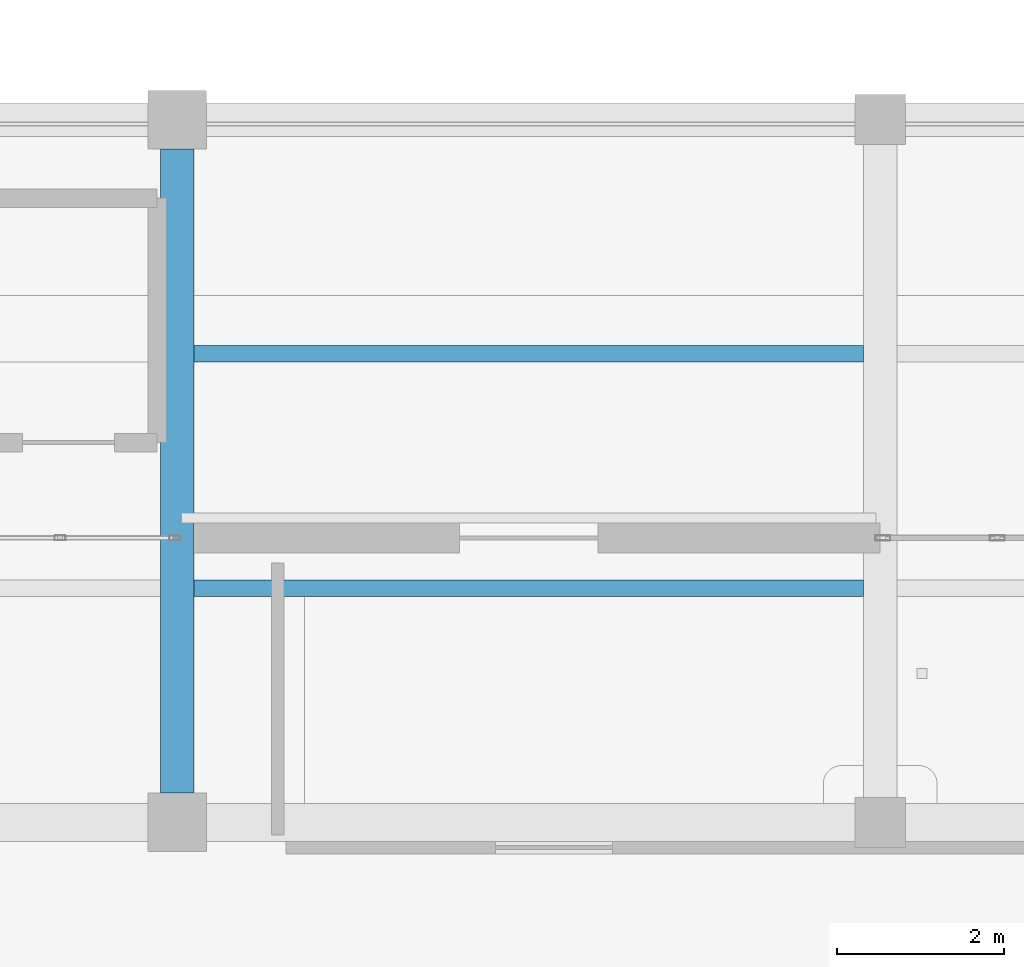
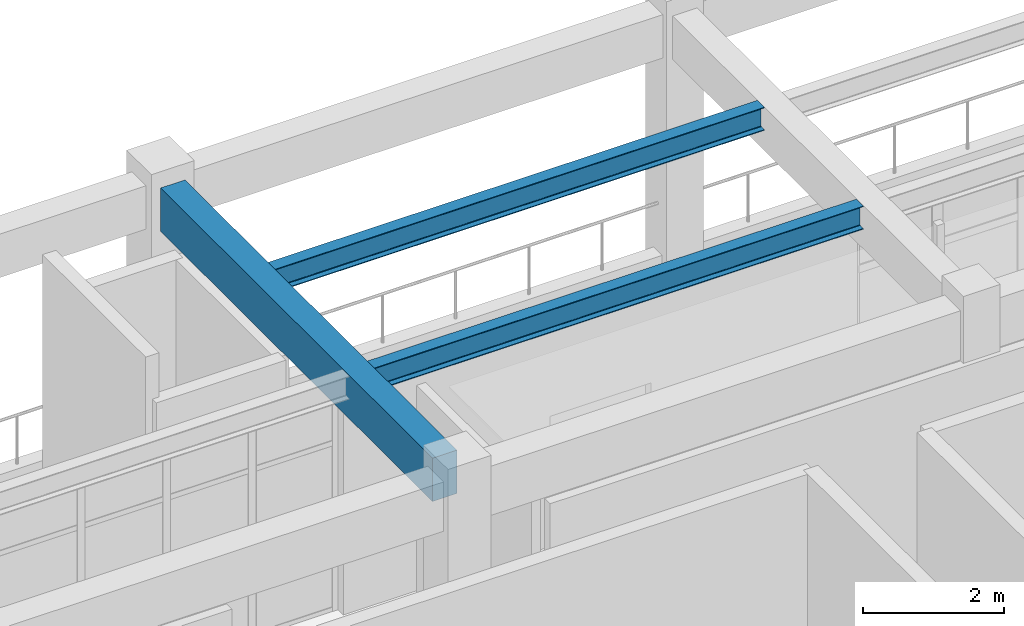
# One storey, part 11 of 98: 3 beams.
"""IFC4 building model written with IfcOpenShell, lengths in metres."""

import ifcopenshell
import ifcopenshell.guid

model = None  # the IFC model being written
_history = None  # IfcOwnerHistory: only IFC2X3 demands one
_inside = {}  # id of a spatial element -> (the spatial element, [elements in it])
_under = {}  # id of a project, library or spatial element -> (it, [spatial elements below it])
_declared = {}  # id of a project -> (the project, [libraries it declares])
_typed = {}  # id of a type object -> (the type object, [elements of that type])
_made_of = {}  # id of a material, layer set ... -> (it, [elements and type objects made of it])


def new_model(schema):
    """Start an empty IFC model of exactly this schema.

    Asked for "IFC4X3", IfcOpenShell would pick the latest addendum, in which some entities
    have other attributes; the version numbers below select the first issue.
    IFC2X3 requires an IfcOwnerHistory on every rooted entity: one is made here for all.
    """
    global model, _history
    if schema == "IFC4X3":
        model = ifcopenshell.file(schema_version=(4, 3, 0, 0))
    else:
        model = ifcopenshell.file(schema=schema)
    _inside.clear()
    _under.clear()
    _declared.clear()
    _typed.clear()
    _made_of.clear()
    _history = None
    if model.schema == "IFC2X3":
        org = make("IfcOrganization", Name="unknown")
        user = make(
            "IfcPersonAndOrganization",
            ThePerson=make("IfcPerson", FamilyName="unknown"),
            TheOrganization=org,
        )
        app = make(
            "IfcApplication",
            ApplicationDeveloper=org,
            Version="unknown",
            ApplicationFullName="unknown",
            ApplicationIdentifier="unknown",
        )
        _history = make(
            "IfcOwnerHistory",
            OwningUser=user,
            OwningApplication=app,
            ChangeAction="ADDED",
            CreationDate=0,
        )
    return model


def make(cls, **values):
    """One entity of the class cls with the attributes given. An attribute that is None is left unset."""
    return model.create_entity(
        cls, **{name: value for name, value in values.items() if value is not None}
    )


def rooted(cls, **values):
    """An entity with a GlobalId (a new one), such as an element, a storey or a relation."""
    return make(cls, GlobalId=ifcopenshell.guid.new(), OwnerHistory=_history, **values)


def si_unit(unit_type, name, prefix=None):
    """IfcSIUnit, for example si_unit("LENGTHUNIT", "METRE", prefix="MILLI")."""
    return make("IfcSIUnit", UnitType=unit_type, Prefix=prefix, Name=name)


def assignment(units):
    """IfcUnitAssignment: the units of a project."""
    return None if units is None else make("IfcUnitAssignment", Units=units)


def point(xyz):
    """IfcCartesianPoint."""
    return None if xyz is None else make("IfcCartesianPoint", Coordinates=xyz)


def direction(xyz):
    """IfcDirection."""
    return None if xyz is None else make("IfcDirection", DirectionRatios=xyz)


def frame(location, z_axis=None, x_axis=None):
    """IfcAxis2Placement3D, a coordinate frame: its origin and axes. An axis left out is left unset."""
    return make(
        "IfcAxis2Placement3D",
        Location=point(location),
        Axis=direction(z_axis),
        RefDirection=direction(x_axis),
    )


def frame_2d(location, x_axis=None):
    """IfcAxis2Placement2D, a coordinate frame in the plane: its origin and x axis."""
    return make(
        "IfcAxis2Placement2D", Location=point(location), RefDirection=direction(x_axis)
    )


def origin():
    """The frame at (0, 0, 0) with its axes left unset."""
    return frame((0.0, 0.0, 0.0))


def origin_2d():
    """The frame at (0, 0) in the plane with its x axis left unset."""
    return frame_2d((0.0, 0.0))


def place(relative_to, where):
    """IfcLocalPlacement: puts the frame where relative to a parent placement (None: the world)."""
    return make(
        "IfcLocalPlacement", PlacementRelTo=relative_to, RelativePlacement=where
    )


def context(
    kind, dimensions, precision=None, world=None, true_north=None, identifier=None
):
    """IfcGeometricRepresentationContext, for example the 3D "Model" context."""
    return make(
        "IfcGeometricRepresentationContext",
        ContextIdentifier=identifier,
        ContextType=kind,
        CoordinateSpaceDimension=dimensions,
        Precision=precision,
        WorldCoordinateSystem=world,
        TrueNorth=true_north,
    )


def subcontext(parent, identifier, kind, view, scale=None):
    """IfcGeometricRepresentationSubContext, for example "Body" below "Model"."""
    return make(
        "IfcGeometricRepresentationSubContext",
        ContextIdentifier=identifier,
        ContextType=kind,
        ParentContext=parent,
        TargetScale=scale,
        TargetView=view,
    )


def project(units=None, contexts=None):
    """IfcProject with its units and contexts."""
    return rooted(
        "IfcProject",
        Name="project",
        RepresentationContexts=contexts,
        UnitsInContext=assignment(units),
    )


def spatial(cls, under=None, at=None, **own):
    """A site, building, storey or space (cls), placed at a placement, below another one or the project."""
    s = rooted(cls, ObjectPlacement=at, **own)
    if under is not None:
        _under.setdefault(under.id(), (under, []))[1].append(s)
    return s


def profile(cls, at=None, kind="AREA", **sizes):
    """A parametric profile (cls). Its sizes go by their IFC names, for example OverallWidth=200.0."""
    return make(cls, ProfileType=kind, Position=at, **sizes)


def rectangle(**sizes):
    """IfcRectangleProfileDef."""
    return profile("IfcRectangleProfileDef", **sizes)


def i_section(**sizes):
    """IfcIShapeProfileDef."""
    return profile("IfcIShapeProfileDef", **sizes)


def extrude(swept, where, along, depth):
    """IfcExtrudedAreaSolid: the profile swept, set in the frame where, extruded along a direction by depth."""
    return make(
        "IfcExtrudedAreaSolid",
        SweptArea=swept,
        Position=where,
        ExtrudedDirection=direction(along),
        Depth=depth,
    )


def shape(context_of_items, identifier, shape_type, items):
    """IfcShapeRepresentation: the items that make up one representation, for example the "Body"."""
    return make(
        "IfcShapeRepresentation",
        ContextOfItems=context_of_items,
        RepresentationIdentifier=identifier,
        RepresentationType=shape_type,
        Items=items,
    )


def material(Name=None, Category=None):
    """IfcMaterial."""
    return make("IfcMaterial", Name=Name, Category=Category)


def material_profile(
    of_material, cross_section, Name=None, Category=None, Priority=None
):
    """IfcMaterialProfile: a cross section and its material."""
    return make(
        "IfcMaterialProfile",
        Name=Name,
        Material=of_material,
        Profile=cross_section,
        Priority=Priority,
        Category=Category,
    )


def profile_set(profiles, Name=None, composite=None):
    """IfcMaterialProfileSet."""
    return make(
        "IfcMaterialProfileSet",
        Name=Name,
        MaterialProfiles=profiles,
        CompositeProfile=composite,
    )


def made_of(thing, what):
    """Note that an element or type object is made of a material, layer set ...; save() writes the relation."""
    if what is not None:
        _made_of.setdefault(what.id(), (what, []))[1].append(thing)
    return thing


def type_object(cls, material=None, **own):
    """A type object (cls), such as IfcWallType, which elements share."""
    return made_of(rooted(cls, **own), material)


def element(
    cls,
    number,
    at=None,
    inside=None,
    cuts=None,
    type_object=None,
    material=None,
    context=None,
    identifier="Body",
    shape_type=None,
    held_by="IfcProductDefinitionShape",
    body=None,
    shapes=None,
    **own,
):
    """One element of the class cls, such as IfcWall. Its Tag is "e" and its number.

    at: its placement. inside: the storey or other place that contains it. cuts: it is an
    opening in that element (IfcRelVoidsElement). A single representation is given by context,
    identifier, shape_type and body (its items); several are given by shapes. held_by: the class
    of the entity that holds the representations. save() writes the other relations.
    """
    e = rooted(cls, Tag="e%d" % number, ObjectPlacement=at, **own)
    if body is not None:
        shapes = [shape(context, identifier, shape_type, body)]
    if shapes is not None:
        e.Representation = make(held_by, Representations=shapes)
    if inside is not None:
        _inside.setdefault(inside.id(), (inside, []))[1].append(e)
    if cuts is not None:
        rooted(
            "IfcRelVoidsElement", RelatingBuildingElement=cuts, RelatedOpeningElement=e
        )
    if type_object is not None:
        _typed.setdefault(type_object.id(), (type_object, []))[1].append(e)
    return made_of(e, material)


def aggregate(whole, parts):
    """IfcRelAggregates: a whole, such as a stair, and the parts it consists of."""
    return rooted("IfcRelAggregates", RelatingObject=whole, RelatedObjects=parts)


def save(model, path):
    """Write the relations noted so far, then the file.

    IfcRelAggregates (storeys below a building ...), IfcRelContainedInSpatialStructure (elements
    in a storey), IfcRelDefinesByType, IfcRelAssociatesMaterial and IfcRelDeclares: one each for
    every whole, place, type object, material and project.
    """
    for whole, parts in _under.values():
        aggregate(whole, parts)
    for where, things in _inside.values():
        rooted(
            "IfcRelContainedInSpatialStructure",
            RelatedElements=things,
            RelatingStructure=where,
        )
    for kind, things in _typed.values():
        rooted("IfcRelDefinesByType", RelatedObjects=things, RelatingType=kind)
    for what, things in _made_of.values():
        rooted("IfcRelAssociatesMaterial", RelatedObjects=things, RelatingMaterial=what)
    for by, libraries in _declared.values():
        rooted("IfcRelDeclares", RelatingContext=by, RelatedDefinitions=libraries)
    model.write(path)


model = new_model("IFC4")

# Units and contexts
model_context = context("Model", 3, precision=1e-05, world=origin(), true_north=direction((0.0, 1.0)))
body_context = subcontext(model_context, "Body", "Model", "MODEL_VIEW")
ifc_project = project(units=[si_unit("LENGTHUNIT", "METRE"), si_unit("AREAUNIT", "SQUARE_METRE"), si_unit("VOLUMEUNIT", "CUBIC_METRE"), si_unit("PLANEANGLEUNIT", "RADIAN"), si_unit("MASSUNIT", "GRAM", prefix="KILO")], contexts=[model_context])

# Site, building, storey
site_placement = place(None, origin())
site = spatial("IfcSite", under=ifc_project, at=site_placement, CompositionType="ELEMENT")
building_placement = place(site_placement, origin())
building = spatial("IfcBuilding", under=site, at=building_placement, Name="Canglan Escarpment Cableway Terminal", CompositionType="ELEMENT")
storey_placement = place(building_placement, frame((0.0, 0.0, 9.60009765625)))
storey = spatial("IfcBuildingStorey", under=building, at=storey_placement, Name="L02", CompositionType="ELEMENT", Elevation=9.60009765625)

# Beams
ifc_material_1 = material(Name="Concrete C40", Category="concrete")
ifc_material_profile_1 = material_profile(ifc_material_1, rectangle(XDim=0.39990234375, YDim=0.75, at=origin_2d()), Name="RC 400x750")
ifc_profile_set_1 = profile_set([ifc_material_profile_1], Name="Concrete C40")
beam_type_1 = type_object("IfcBeamType", Name="BM-RC400x750", PredefinedType="BEAM", material=ifc_profile_set_1)
beam_placement = place(storey_placement, frame((59.300048828125, 16.75, 4.14501953125), z_axis=(0.0, 1.0, 0.0), x_axis=(-1.0, 0.0, 0.0)))
element("IfcBeam", 1, at=beam_placement, inside=storey, type_object=beam_type_1, Name="Primary transverse girder B-03", PredefinedType="BEAM", context=body_context, shape_type="SweptSolid", body=[
    extrude(rectangle(XDim=0.39990234375, YDim=0.75, at=origin_2d()), origin(), (0.0, 0.0, 1.0), 7.699951171875),
])
ifc_material_2 = material(Name="Steel Q355B", Category="steel")
ifc_material_profile_2 = material_profile(ifc_material_2, i_section(OverallWidth=0.199951171875, OverallDepth=0.39990234375, WebThickness=0.008056640625, FlangeThickness=0.012939453125, FilletRadius=0.01611328125, at=origin_2d()), Name="HN 400x200x8x13")
ifc_profile_set_2 = profile_set([ifc_material_profile_2], Name="Steel Q355B")
beam_type_2 = type_object("IfcBeamType", Name="JS-HN400", PredefinedType="JOIST", material=ifc_profile_set_2)
for number, where, z_axis, x_axis, name in (
    (2, (59.5, 19.199951171875, 4.309814453125), (1.0, 0.0, 0.0), (0.0, 1.0, 0.0), "Secondary composite deck joist J-03"),
    (3, (59.5, 22.0, 4.31982421875), (1.0, 0.0, 0.0), (0.0, 1.0, 0.0), "Secondary composite deck joist J-03"),
):
    element("IfcBeam", number, at=place(storey_placement, frame(where, z_axis=z_axis, x_axis=x_axis)), inside=storey, type_object=beam_type_2, Name=name, PredefinedType="JOIST", context=body_context, shape_type="SweptSolid", body=[
        extrude(i_section(OverallWidth=0.199951171875, OverallDepth=0.39990234375, WebThickness=0.008056640625, FlangeThickness=0.012939453125, FilletRadius=0.01611328125, at=origin_2d()), origin(), (0.0, 0.0, 1.0), 8.0),
    ])

save(model, "model.ifc")
